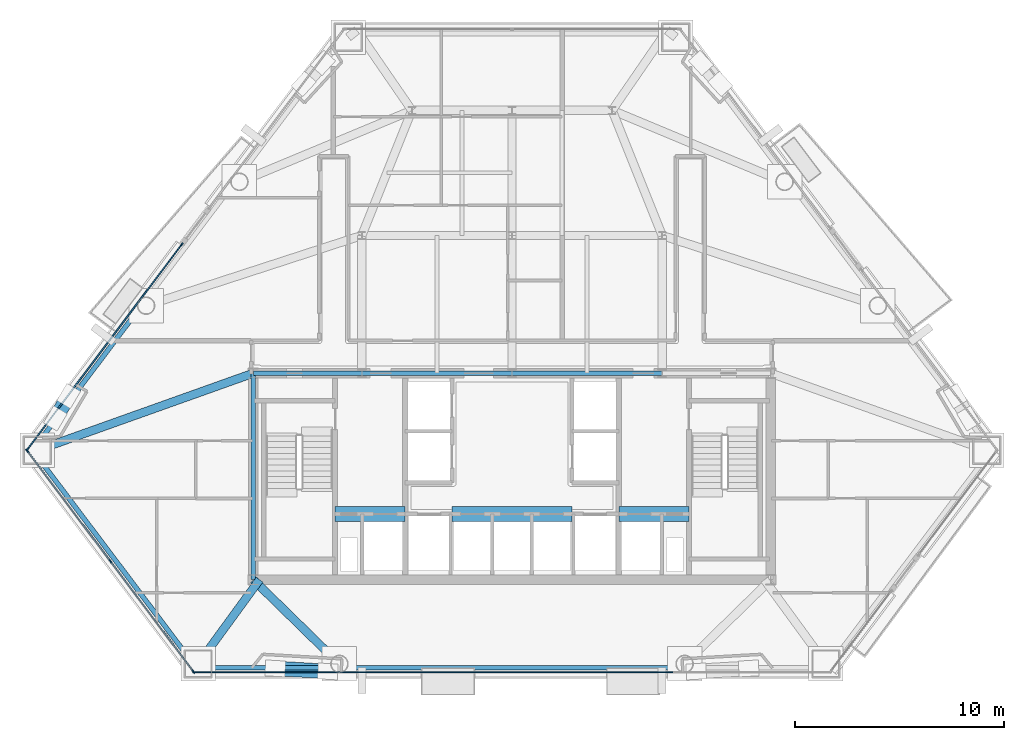
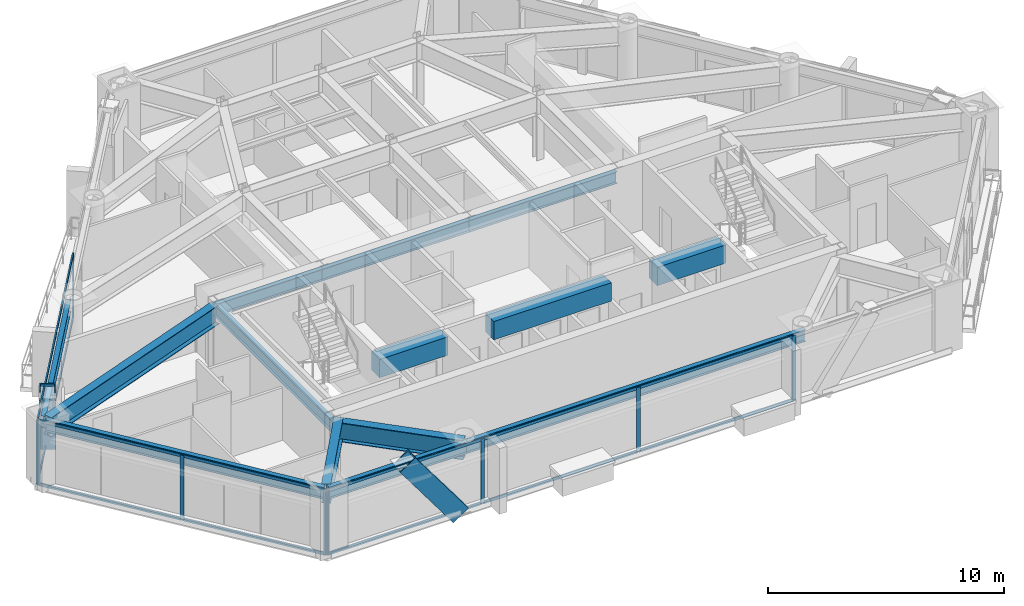
# One storey, part 2 of 10: 23 members, 14 beams, 3 elements without a shape of their own.
"""IFC4 building model written with IfcOpenShell, lengths in metres."""

import ifcopenshell
import ifcopenshell.guid

model = None  # the IFC model being written
_history = None  # IfcOwnerHistory: only IFC2X3 demands one
_inside = {}  # id of a spatial element -> (the spatial element, [elements in it])
_under = {}  # id of a project, library or spatial element -> (it, [spatial elements below it])
_declared = {}  # id of a project -> (the project, [libraries it declares])
_typed = {}  # id of a type object -> (the type object, [elements of that type])
_made_of = {}  # id of a material, layer set ... -> (it, [elements and type objects made of it])


def new_model(schema):
    """Start an empty IFC model of exactly this schema.

    Asked for "IFC4X3", IfcOpenShell would pick the latest addendum, in which some entities
    have other attributes; the version numbers below select the first issue.
    IFC2X3 requires an IfcOwnerHistory on every rooted entity: one is made here for all.
    """
    global model, _history
    if schema == "IFC4X3":
        model = ifcopenshell.file(schema_version=(4, 3, 0, 0))
    else:
        model = ifcopenshell.file(schema=schema)
    _inside.clear()
    _under.clear()
    _declared.clear()
    _typed.clear()
    _made_of.clear()
    _history = None
    if model.schema == "IFC2X3":
        org = make("IfcOrganization", Name="unknown")
        user = make(
            "IfcPersonAndOrganization",
            ThePerson=make("IfcPerson", FamilyName="unknown"),
            TheOrganization=org,
        )
        app = make(
            "IfcApplication",
            ApplicationDeveloper=org,
            Version="unknown",
            ApplicationFullName="unknown",
            ApplicationIdentifier="unknown",
        )
        _history = make(
            "IfcOwnerHistory",
            OwningUser=user,
            OwningApplication=app,
            ChangeAction="ADDED",
            CreationDate=0,
        )
    return model


def make(cls, **values):
    """One entity of the class cls with the attributes given. An attribute that is None is left unset."""
    return model.create_entity(
        cls, **{name: value for name, value in values.items() if value is not None}
    )


def rooted(cls, **values):
    """An entity with a GlobalId (a new one), such as an element, a storey or a relation."""
    return make(cls, GlobalId=ifcopenshell.guid.new(), OwnerHistory=_history, **values)


def si_unit(unit_type, name, prefix=None):
    """IfcSIUnit, for example si_unit("LENGTHUNIT", "METRE", prefix="MILLI")."""
    return make("IfcSIUnit", UnitType=unit_type, Prefix=prefix, Name=name)


def assignment(units):
    """IfcUnitAssignment: the units of a project."""
    return None if units is None else make("IfcUnitAssignment", Units=units)


def point(xyz):
    """IfcCartesianPoint."""
    return None if xyz is None else make("IfcCartesianPoint", Coordinates=xyz)


def direction(xyz):
    """IfcDirection."""
    return None if xyz is None else make("IfcDirection", DirectionRatios=xyz)


def frame(location, z_axis=None, x_axis=None):
    """IfcAxis2Placement3D, a coordinate frame: its origin and axes. An axis left out is left unset."""
    return make(
        "IfcAxis2Placement3D",
        Location=point(location),
        Axis=direction(z_axis),
        RefDirection=direction(x_axis),
    )


def frame_2d(location, x_axis=None):
    """IfcAxis2Placement2D, a coordinate frame in the plane: its origin and x axis."""
    return make(
        "IfcAxis2Placement2D", Location=point(location), RefDirection=direction(x_axis)
    )


def origin():
    """The frame at (0, 0, 0) with its axes left unset."""
    return frame((0.0, 0.0, 0.0))


def origin_2d():
    """The frame at (0, 0) in the plane with its x axis left unset."""
    return frame_2d((0.0, 0.0))


def place(relative_to, where):
    """IfcLocalPlacement: puts the frame where relative to a parent placement (None: the world)."""
    return make(
        "IfcLocalPlacement", PlacementRelTo=relative_to, RelativePlacement=where
    )


def context(
    kind, dimensions, precision=None, world=None, true_north=None, identifier=None
):
    """IfcGeometricRepresentationContext, for example the 3D "Model" context."""
    return make(
        "IfcGeometricRepresentationContext",
        ContextIdentifier=identifier,
        ContextType=kind,
        CoordinateSpaceDimension=dimensions,
        Precision=precision,
        WorldCoordinateSystem=world,
        TrueNorth=true_north,
    )


def subcontext(parent, identifier, kind, view, scale=None):
    """IfcGeometricRepresentationSubContext, for example "Body" below "Model"."""
    return make(
        "IfcGeometricRepresentationSubContext",
        ContextIdentifier=identifier,
        ContextType=kind,
        ParentContext=parent,
        TargetScale=scale,
        TargetView=view,
    )


def project(units=None, contexts=None):
    """IfcProject with its units and contexts."""
    return rooted(
        "IfcProject",
        Name="project",
        RepresentationContexts=contexts,
        UnitsInContext=assignment(units),
    )


def spatial(cls, under=None, at=None, **own):
    """A site, building, storey or space (cls), placed at a placement, below another one or the project."""
    s = rooted(cls, ObjectPlacement=at, **own)
    if under is not None:
        _under.setdefault(under.id(), (under, []))[1].append(s)
    return s


def profile(cls, at=None, kind="AREA", **sizes):
    """A parametric profile (cls). Its sizes go by their IFC names, for example OverallWidth=200.0."""
    return make(cls, ProfileType=kind, Position=at, **sizes)


def rectangle(**sizes):
    """IfcRectangleProfileDef."""
    return profile("IfcRectangleProfileDef", **sizes)


def hollow_rectangle(**sizes):
    """IfcRectangleHollowProfileDef."""
    return profile("IfcRectangleHollowProfileDef", **sizes)


def i_section(**sizes):
    """IfcIShapeProfileDef."""
    return profile("IfcIShapeProfileDef", **sizes)


def extrude(swept, where, along, depth):
    """IfcExtrudedAreaSolid: the profile swept, set in the frame where, extruded along a direction by depth."""
    return make(
        "IfcExtrudedAreaSolid",
        SweptArea=swept,
        Position=where,
        ExtrudedDirection=direction(along),
        Depth=depth,
    )


def shape(context_of_items, identifier, shape_type, items):
    """IfcShapeRepresentation: the items that make up one representation, for example the "Body"."""
    return make(
        "IfcShapeRepresentation",
        ContextOfItems=context_of_items,
        RepresentationIdentifier=identifier,
        RepresentationType=shape_type,
        Items=items,
    )


def material(Name=None, Category=None):
    """IfcMaterial."""
    return make("IfcMaterial", Name=Name, Category=Category)


def layer(
    of_material, thickness, ventilated=None, Name=None, Category=None, Priority=None
):
    """IfcMaterialLayer: one layer of a wall or slab, of a material (None: an air gap)."""
    return make(
        "IfcMaterialLayer",
        Material=of_material,
        LayerThickness=thickness,
        IsVentilated=ventilated,
        Name=Name,
        Category=Category,
        Priority=Priority,
    )


def layer_set(layers, Name=None):
    """IfcMaterialLayerSet."""
    return make("IfcMaterialLayerSet", MaterialLayers=layers, LayerSetName=Name)


def material_profile(
    of_material, cross_section, Name=None, Category=None, Priority=None
):
    """IfcMaterialProfile: a cross section and its material."""
    return make(
        "IfcMaterialProfile",
        Name=Name,
        Material=of_material,
        Profile=cross_section,
        Priority=Priority,
        Category=Category,
    )


def profile_set(profiles, Name=None, composite=None):
    """IfcMaterialProfileSet."""
    return make(
        "IfcMaterialProfileSet",
        Name=Name,
        MaterialProfiles=profiles,
        CompositeProfile=composite,
    )


def made_of(thing, what):
    """Note that an element or type object is made of a material, layer set ...; save() writes the relation."""
    if what is not None:
        _made_of.setdefault(what.id(), (what, []))[1].append(thing)
    return thing


def type_object(cls, material=None, **own):
    """A type object (cls), such as IfcWallType, which elements share."""
    return made_of(rooted(cls, **own), material)


def element(
    cls,
    number,
    at=None,
    inside=None,
    cuts=None,
    type_object=None,
    material=None,
    context=None,
    identifier="Body",
    shape_type=None,
    held_by="IfcProductDefinitionShape",
    body=None,
    shapes=None,
    **own,
):
    """One element of the class cls, such as IfcWall. Its Tag is "e" and its number.

    at: its placement. inside: the storey or other place that contains it. cuts: it is an
    opening in that element (IfcRelVoidsElement). A single representation is given by context,
    identifier, shape_type and body (its items); several are given by shapes. held_by: the class
    of the entity that holds the representations. save() writes the other relations.
    """
    e = rooted(cls, Tag="e%d" % number, ObjectPlacement=at, **own)
    if body is not None:
        shapes = [shape(context, identifier, shape_type, body)]
    if shapes is not None:
        e.Representation = make(held_by, Representations=shapes)
    if inside is not None:
        _inside.setdefault(inside.id(), (inside, []))[1].append(e)
    if cuts is not None:
        rooted(
            "IfcRelVoidsElement", RelatingBuildingElement=cuts, RelatedOpeningElement=e
        )
    if type_object is not None:
        _typed.setdefault(type_object.id(), (type_object, []))[1].append(e)
    return made_of(e, material)


def aggregate(whole, parts):
    """IfcRelAggregates: a whole, such as a stair, and the parts it consists of."""
    return rooted("IfcRelAggregates", RelatingObject=whole, RelatedObjects=parts)


def save(model, path):
    """Write the relations noted so far, then the file.

    IfcRelAggregates (storeys below a building ...), IfcRelContainedInSpatialStructure (elements
    in a storey), IfcRelDefinesByType, IfcRelAssociatesMaterial and IfcRelDeclares: one each for
    every whole, place, type object, material and project.
    """
    for whole, parts in _under.values():
        aggregate(whole, parts)
    for where, things in _inside.values():
        rooted(
            "IfcRelContainedInSpatialStructure",
            RelatedElements=things,
            RelatingStructure=where,
        )
    for kind, things in _typed.values():
        rooted("IfcRelDefinesByType", RelatedObjects=things, RelatingType=kind)
    for what, things in _made_of.values():
        rooted("IfcRelAssociatesMaterial", RelatedObjects=things, RelatingMaterial=what)
    for by, libraries in _declared.values():
        rooted("IfcRelDeclares", RelatingContext=by, RelatedDefinitions=libraries)
    model.write(path)


model = new_model("IFC4")

# Units and contexts
model_context = context("Model", 3, precision=1e-05, world=origin(), true_north=direction((0.0, 1.0)))
body_context = subcontext(model_context, "Body", "Model", "MODEL_VIEW")
ifc_project = project(units=[si_unit("LENGTHUNIT", "METRE"), si_unit("AREAUNIT", "SQUARE_METRE"), si_unit("VOLUMEUNIT", "CUBIC_METRE"), si_unit("PLANEANGLEUNIT", "RADIAN"), si_unit("MASSUNIT", "GRAM", prefix="KILO")], contexts=[model_context])

# Site, building, storey
site_placement = place(None, origin())
site = spatial("IfcSite", under=ifc_project, at=site_placement, CompositionType="ELEMENT")
building_placement = place(site_placement, origin())
building = spatial("IfcBuilding", under=site, at=building_placement, Name="Talgorran Terracotta Tower", CompositionType="ELEMENT")
storey_placement = place(building_placement, frame((0.0, 0.0, 49.5)))
storey = spatial("IfcBuildingStorey", under=building, at=storey_placement, Name="L12", CompositionType="ELEMENT", Elevation=49.5)

# Beams
ifc_material_1 = material(Name="Steel Grade 350 (350L0)", Category="steel")
ifc_material_profile_1 = material_profile(ifc_material_1, i_section(OverallWidth=0.39990234375, OverallDepth=1.0, WebThickness=0.01611328125, FlangeThickness=0.031005859375, at=origin_2d()), Name="1000WB296")
ifc_profile_set_1 = profile_set([ifc_material_profile_1], Name="Steel Grade 350 (350L0)")
beam_type_1 = type_object("IfcBeamType", Name="BM_1000WB296", PredefinedType="BEAM", material=ifc_profile_set_1)
beam_1_placement = place(storey_placement, frame((-8.274169921875, -18.135498046875, 2.85009765625), z_axis=(-0.714889648405, 0.699237292058, 0.0), x_axis=(-0.699237292058, -0.714889648405, 0.0)))
element("IfcBeam", 1, at=beam_1_placement, inside=storey, type_object=beam_type_1, Name="L12 South-West Core Tie Beam", PredefinedType="BEAM", context=body_context, shape_type="SweptSolid", body=[
    extrude(i_section(OverallWidth=0.39990234375, OverallDepth=1.0, WebThickness=0.01611328125, FlangeThickness=0.031005859375, at=origin_2d()), origin(), (0.0, 0.0, 1.0), 5.771240234375),
])
beam_2_placement = place(storey_placement, frame((-15.0439453125, -18.135498046875, 2.85009765625), z_axis=(0.589350973105, 0.807877113489, 0.0), x_axis=(-0.807877113489, 0.589350973105, 0.0)))
element("IfcBeam", 2, at=beam_2_placement, inside=storey, type_object=beam_type_1, Name="L12 Perimeter Step Girder 2", PredefinedType="BEAM", context=body_context, shape_type="SweptSolid", body=[
    extrude(i_section(OverallWidth=0.39990234375, OverallDepth=1.0, WebThickness=0.01611328125, FlangeThickness=0.031005859375, at=origin_2d()), origin(), (0.0, 0.0, 1.0), 4.9951171875),
])
beam_3_placement = place(storey_placement, frame((-12.39990234375, -4.199951171875, 2.85009765625), z_axis=(-0.941952171634, -0.335747086889, 0.0), x_axis=(0.335747086889, -0.941952171634, 0.0)))
element("IfcBeam", 3, at=beam_3_placement, inside=storey, type_object=beam_type_1, Name="L12 Floor Girder G17", PredefinedType="BEAM", context=body_context, shape_type="SweptSolid", body=[
    extrude(i_section(OverallWidth=0.39990234375, OverallDepth=1.0, WebThickness=0.01611328125, FlangeThickness=0.031005859375, at=origin_2d()), origin(), (0.0, 0.0, 1.0), 10.99755859375),
])
ifc_material_2 = material(Name="Concrete C65/80", Category="concrete")
ifc_material_profile_2 = material_profile(ifc_material_2, rectangle(XDim=0.699951171875, YDim=0.949951171875, at=origin_2d()), Name="RCCB700X950")
ifc_profile_set_2 = profile_set([ifc_material_profile_2], Name="Concrete C65/80")
beam_type_2 = type_object("IfcBeamType", Name="BM_CB_700X950", PredefinedType="LINTEL", material=ifc_profile_set_2)
beam_4_placement = place(storey_placement, frame((-8.47998046875, -10.949951171875, 2.875), z_axis=(1.0, 0.0, 0.0), x_axis=(0.0, 1.0, 0.0)))
element("IfcBeam", 4, at=beam_4_placement, inside=storey, type_object=beam_type_2, Name="L12 Core Shear-Wall Coupling Beam CB1", PredefinedType="LINTEL", context=body_context, shape_type="SweptSolid", body=[
    extrude(rectangle(XDim=0.699951171875, YDim=0.949951171875, at=origin_2d()), origin(), (0.0, 0.0, 1.0), 3.35986328125),
])
beam_5_placement = place(storey_placement, frame((-2.8798828125, -10.949951171875, 2.875), z_axis=(1.0, 0.0, 0.0), x_axis=(0.0, 1.0, 0.0)))
element("IfcBeam", 5, at=beam_5_placement, inside=storey, type_object=beam_type_2, Name="L12 Core Shear-Wall Coupling Beam CB2", PredefinedType="LINTEL", context=body_context, shape_type="SweptSolid", body=[
    extrude(rectangle(XDim=0.699951171875, YDim=0.949951171875, at=origin_2d()), origin(), (0.0, 0.0, 1.0), 5.759765625),
])
beam_6_placement = place(storey_placement, frame((5.1201171875, -10.949951171875, 2.875), z_axis=(1.0, 0.0, 0.0), x_axis=(0.0, 1.0, 0.0)))
element("IfcBeam", 6, at=beam_6_placement, inside=storey, type_object=beam_type_2, Name="L12 Core Shear-Wall Coupling Beam CB3", PredefinedType="LINTEL", context=body_context, shape_type="SweptSolid", body=[
    extrude(rectangle(XDim=0.699951171875, YDim=0.949951171875, at=origin_2d()), origin(), (0.0, 0.0, 1.0), 3.35986328125),
])
ifc_material_3 = material(Name="Steel S355 (300PLUS)", Category="steel")
ifc_material_profile_3 = material_profile(ifc_material_3, i_section(OverallWidth=0.22900390625, OverallDepth=0.611572265625, WebThickness=0.011962890625, FlangeThickness=0.01953125, at=origin_2d()), Name="610UB125")
ifc_profile_set_3 = profile_set([ifc_material_profile_3], Name="Steel S355 (300PLUS)")
beam_type_3 = type_object("IfcBeamType", Name="BM_SP_610UB125", PredefinedType="SPANDREL", material=ifc_profile_set_3)
beam_7_placement = place(storey_placement, frame((-22.90283203125, -8.000732421875, 3.044189453125), z_axis=(0.601631480878, -0.79877378601, 0.0), x_axis=(0.79877378601, 0.601631480878, 0.0)))
element("IfcBeam", 7, at=beam_7_placement, inside=storey, type_object=beam_type_3, Name="L12 Perimeter Spandrel Beam MC1-MC2", PredefinedType="SPANDREL", context=body_context, shape_type="SweptSolid", body=[
    extrude(i_section(OverallWidth=0.22900390625, OverallDepth=0.611572265625, WebThickness=0.011962890625, FlangeThickness=0.01953125, at=origin_2d()), origin(), (0.0, 0.0, 1.0), 12.82373046875),
])
beam_8_placement = place(storey_placement, frame((-15.0439453125, -18.315673828125, 3.044189453125), z_axis=(1.0, 0.0, 0.0), x_axis=(0.0, 1.0, 0.0)))
element("IfcBeam", 8, at=beam_8_placement, inside=storey, type_object=beam_type_3, Name="L12 Perimeter Spandrel Beam MC2-FC1", PredefinedType="SPANDREL", context=body_context, shape_type="SweptSolid", body=[
    extrude(i_section(OverallWidth=0.22900390625, OverallDepth=0.611572265625, WebThickness=0.011962890625, FlangeThickness=0.01953125, at=origin_2d()), origin(), (0.0, 0.0, 1.0), 6.769775390625),
])
beam_9_placement = place(storey_placement, frame((-8.274169921875, -18.315673828125, 3.044189453125), z_axis=(1.0, 0.0, 0.0), x_axis=(0.0, 1.0, 0.0)))
element("IfcBeam", 9, at=beam_9_placement, inside=storey, type_object=beam_type_3, Name="L12 Perimeter Spandrel Beam FC1-FC2", PredefinedType="SPANDREL", context=body_context, shape_type="SweptSolid", body=[
    extrude(i_section(OverallWidth=0.22900390625, OverallDepth=0.611572265625, WebThickness=0.011962890625, FlangeThickness=0.01953125, at=origin_2d()), origin(), (0.0, 0.0, 1.0), 16.54833984375),
])
beam_10_placement = place(storey_placement, frame((-17.68359375, -0.854736328125, 3.044189453125), z_axis=(-0.601633271951, -0.798772436981, 0.0), x_axis=(0.798772436981, -0.601633271951, 0.0)))
element("IfcBeam", 10, at=beam_10_placement, inside=storey, type_object=beam_type_3, Name="L12 Perimeter Spandrel Beam FC6-MC1", PredefinedType="SPANDREL", context=body_context, shape_type="SweptSolid", body=[
    extrude(i_section(OverallWidth=0.22900390625, OverallDepth=0.611572265625, WebThickness=0.011962890625, FlangeThickness=0.01953125, at=origin_2d()), origin(), (0.0, 0.0, 1.0), 8.675048828125),
])
beam_11_placement = place(storey_placement, frame((-12.39990234375, -14.10009765625, 3.044189453125), z_axis=(0.0, 1.0, 0.0), x_axis=(-1.0, 0.0, 0.0)))
element("IfcBeam", 11, at=beam_11_placement, inside=storey, type_object=beam_type_3, Name="L12 Core Frame Beam CFW", PredefinedType="SPANDREL", context=body_context, shape_type="SweptSolid", body=[
    extrude(i_section(OverallWidth=0.22900390625, OverallDepth=0.611572265625, WebThickness=0.011962890625, FlangeThickness=0.01953125, at=origin_2d()), origin(), (0.0, 0.0, 1.0), 9.900146484375),
])
beam_12_placement = place(storey_placement, frame((-12.39990234375, -4.199951171875, 3.044189453125), z_axis=(1.0, 0.0, 0.0), x_axis=(0.0, 1.0, 0.0)))
element("IfcBeam", 12, at=beam_12_placement, inside=storey, type_object=beam_type_3, Name="L12 Core Frame Beam CFN1", PredefinedType="SPANDREL", context=body_context, shape_type="SweptSolid", body=[
    extrude(i_section(OverallWidth=0.22900390625, OverallDepth=0.611572265625, WebThickness=0.011962890625, FlangeThickness=0.01953125, at=origin_2d()), origin(), (0.0, 0.0, 1.0), 5.199951171875),
])
for number, where, z_axis, x_axis, name in (
    (13, (-7.199951171875, -4.199951171875, 3.044189453125), (1.0, 0.0, 0.0), (0.0, 1.0, 0.0), "L12 Core Frame Beam CFN2"),
    (14, (0.0, -4.199951171875, 3.044189453125), (1.0, 0.0, 0.0), (0.0, 1.0, 0.0), "L12 Core Frame Beam CFN3"),
):
    element("IfcBeam", number, at=place(storey_placement, frame(where, z_axis=z_axis, x_axis=x_axis)), inside=storey, type_object=beam_type_3, Name=name, PredefinedType="SPANDREL", context=body_context, shape_type="SweptSolid", body=[
        extrude(i_section(OverallWidth=0.22900390625, OverallDepth=0.611572265625, WebThickness=0.011962890625, FlangeThickness=0.01953125, at=origin_2d()), origin(), (0.0, 0.0, 1.0), 7.199951171875),
    ])

# Members
ifc_material_profile_4 = material_profile(ifc_material_1, hollow_rectangle(XDim=0.699951171875, YDim=0.89990234375, WallThickness=0.050048828125, at=origin_2d()), Name="WBOX900X700X50")
ifc_profile_set_4 = profile_set([ifc_material_profile_4], Name="Steel Grade 350 (350L0)")
member_type_1 = type_object("IfcMemberType", Name="MB_MEGA_900", PredefinedType="BRACE", material=ifc_profile_set_4)
member_1_placement = place(storey_placement, frame((-8.82958984375, -18.49560546875, -0.02490234375), z_axis=(-0.59467351444, 0.034146141663, 0.803241839195), x_axis=(-0.057325555637, -0.998355538208, 0.0)))
element("IfcMember", 15, at=member_1_placement, inside=storey, type_object=member_type_1, Name="L12 Exterior Face Mega-Brace MB-1 (SWF)", PredefinedType="BRACE", context=body_context, shape_type="SweptSolid", body=[
    extrude(hollow_rectangle(XDim=0.699951171875, YDim=0.89990234375, WallThickness=0.050048828125, at=origin_2d()), origin(), (0.0, 0.0, 1.0), 4.232666015625),
])
member_2_placement = place(storey_placement, frame((-21.251220703125, -5.2919921875, -0.02490234375), z_axis=(-0.176326391184, -0.296371231666, 0.938654940227), x_axis=(0.8594012676, -0.511301732099, 0.0)))
element("IfcMember", 16, at=member_2_placement, inside=storey, type_object=member_type_1, Name="L12 Exterior Face Mega-Brace MB-1 (NWL)", PredefinedType="BRACE", context=body_context, shape_type="SweptSolid", body=[
    extrude(hollow_rectangle(XDim=0.699951171875, YDim=0.89990234375, WallThickness=0.050048828125, at=origin_2d()), origin(), (0.0, 0.0, 1.0), 3.6220703125),
])

# Curtain wall, members
ifc_material_4 = material(Name="Unitised Low-E Double Glazing", Category="glass")
ifc_layer = layer(ifc_material_4, 0.199951171875, Name="CW_SYS2_RES_LOW")
ifc_layer_set = layer_set([ifc_layer], Name="Unitised Low-E Double Glazing")
curtain_wall_type = type_object("IfcCurtainWallType", Name="CW_SYS2_RES_LOW", PredefinedType="NOTDEFINED", material=ifc_layer_set)
curtain_wall_1_placement = place(storey_placement, origin())
curtain_wall_1 = element("IfcCurtainWall", 17, at=curtain_wall_1_placement, inside=storey, type_object=curtain_wall_type, Name="CW-L12-F0", PredefinedType="NOTDEFINED")
ifc_material_5 = material(Name="Architectural Aluminium 6063-T6", Category="aluminium")
ifc_material_profile_5 = material_profile(ifc_material_5, rectangle(XDim=0.06494140625, YDim=0.18505859375, at=origin_2d()), Name="CWM65X185")
ifc_profile_set_5 = profile_set([ifc_material_profile_5], Name="Architectural Aluminium 6063-T6")
member_type_2 = type_object("IfcMemberType", Name="MUL_65X185", PredefinedType="MULLION", material=ifc_profile_set_5)
member_3_placement = place(storey_placement, frame((-23.240234375, -7.91845703125, 0.0), z_axis=(0.0, 0.0, 1.0), x_axis=(0.798773515054, 0.60163184062, 0.0)))
member_3 = element("IfcMember", 18, at=member_3_placement, type_object=member_type_2, Name="CW-L12-0 mullion 1", PredefinedType="MULLION", context=body_context, shape_type="SweptSolid", body=[
    extrude(rectangle(XDim=0.06494140625, YDim=0.18505859375, at=origin_2d()), origin(), (0.0, 0.0, 1.0), 3.35009765625),
])
member_4_placement = place(storey_placement, frame((-19.251708984375, -13.214111328125, 0.0), z_axis=(0.0, 0.0, 1.0), x_axis=(0.798773515054, 0.60163184062, 0.0)))
member_4 = element("IfcMember", 19, at=member_4_placement, type_object=member_type_2, Name="CW-L12-0 mullion 2", PredefinedType="MULLION", context=body_context, shape_type="SweptSolid", body=[
    extrude(rectangle(XDim=0.06494140625, YDim=0.18505859375, at=origin_2d()), origin(), (0.0, 0.0, 1.0), 3.35009765625),
])
member_5_placement = place(storey_placement, frame((-15.262939453125, -18.509521484375, 0.0), z_axis=(0.0, 0.0, 1.0), x_axis=(0.798773515054, 0.60163184062, 0.0)))
member_5 = element("IfcMember", 20, at=member_5_placement, type_object=member_type_2, Name="CW-L12-0 mullion 3", PredefinedType="MULLION", context=body_context, shape_type="SweptSolid", body=[
    extrude(rectangle(XDim=0.06494140625, YDim=0.18505859375, at=origin_2d()), origin(), (0.0, 0.0, 1.0), 3.35009765625),
])

curtain_wall_2_placement = place(storey_placement, origin())
curtain_wall_2 = element("IfcCurtainWall", 21, at=curtain_wall_2_placement, inside=storey, type_object=curtain_wall_type, Name="CW-L12-F1", PredefinedType="NOTDEFINED")
member_6_placement = place(storey_placement, frame((-15.2109375, -18.53564453125, 0.0), z_axis=(0.0, 0.0, 1.0), x_axis=(0.0, 1.0, 0.0)))
member_6 = element("IfcMember", 22, at=member_6_placement, type_object=member_type_2, Name="CW-L12-1 mullion 1", PredefinedType="MULLION", context=body_context, shape_type="SweptSolid", body=[
    extrude(rectangle(XDim=0.06494140625, YDim=0.18505859375, at=origin_2d()), origin(), (0.0, 0.0, 1.0), 3.35009765625),
])
member_7_placement = place(storey_placement, frame((-7.62158203125, -18.53564453125, 0.0), z_axis=(0.0, 0.0, 1.0), x_axis=(0.0, 1.0, 0.0)))
member_7 = element("IfcMember", 23, at=member_7_placement, type_object=member_type_2, Name="CW-L12-1 mullion 2", PredefinedType="MULLION", context=body_context, shape_type="SweptSolid", body=[
    extrude(rectangle(XDim=0.06494140625, YDim=0.18505859375, at=origin_2d()), origin(), (0.0, 0.0, 1.0), 3.35009765625),
])
member_8_placement = place(storey_placement, frame((0.0, -18.53564453125, 0.0), z_axis=(0.0, 0.0, 1.0), x_axis=(0.0, 1.0, 0.0)))
member_8 = element("IfcMember", 24, at=member_8_placement, type_object=member_type_2, Name="CW-L12-1 mullion 3", PredefinedType="MULLION", context=body_context, shape_type="SweptSolid", body=[
    extrude(rectangle(XDim=0.06494140625, YDim=0.18505859375, at=origin_2d()), origin(), (0.0, 0.0, 1.0), 3.35009765625),
])
member_9_placement = place(storey_placement, frame((7.62158203125, -18.53564453125, 0.0), z_axis=(0.0, 0.0, 1.0), x_axis=(0.0, 1.0, 0.0)))
member_9 = element("IfcMember", 25, at=member_9_placement, type_object=member_type_2, Name="CW-L12-1 mullion 4", PredefinedType="MULLION", context=body_context, shape_type="SweptSolid", body=[
    extrude(rectangle(XDim=0.06494140625, YDim=0.18505859375, at=origin_2d()), origin(), (0.0, 0.0, 1.0), 3.35009765625),
])

curtain_wall_3_placement = place(storey_placement, origin())
curtain_wall_3 = element("IfcCurtainWall", 26, at=curtain_wall_3_placement, inside=storey, type_object=curtain_wall_type, Name="CW-L12-F61", PredefinedType="NOTDEFINED")
member_10_placement = place(storey_placement, frame((-15.83154296875, 1.97021484375, 0.0), z_axis=(0.0, 0.0, 1.0), x_axis=(0.798775924398, -0.601628641773, 0.0)))
member_10 = element("IfcMember", 27, at=member_10_placement, type_object=member_type_2, Name="CW-L12-61 mullion 1", PredefinedType="MULLION", context=body_context, shape_type="SweptSolid", body=[
    extrude(rectangle(XDim=0.06494140625, YDim=0.18505859375, at=origin_2d()), origin(), (0.0, 0.0, 1.0), 3.35009765625),
])
member_11_placement = place(storey_placement, frame((-23.216064453125, -7.83447265625, 0.0), z_axis=(0.0, 0.0, 1.0), x_axis=(0.798775924398, -0.601628641773, 0.0)))
member_11 = element("IfcMember", 28, at=member_11_placement, type_object=member_type_2, Name="CW-L12-61 mullion 2", PredefinedType="MULLION", context=body_context, shape_type="SweptSolid", body=[
    extrude(rectangle(XDim=0.06494140625, YDim=0.18505859375, at=origin_2d()), origin(), (0.0, 0.0, 1.0), 3.35009765625),
])

# Member
ifc_material_profile_6 = material_profile(ifc_material_5, rectangle(XDim=0.06494140625, YDim=0.14990234375, at=origin_2d()), Name="CWT65X150")
ifc_profile_set_6 = profile_set([ifc_material_profile_6], Name="Architectural Aluminium 6063-T6")
member_type_3 = type_object("IfcMemberType", Name="TRN_65X150", PredefinedType="USERDEFINED", material=ifc_profile_set_6)
member_12_placement = place(storey_placement, frame((-23.220703125, -7.9443359375, 0.032470703125), z_axis=(0.601629181278, -0.798775518049, 0.0), x_axis=(0.798775518049, 0.601629181278, 0.0)))
member_12 = element("IfcMember", 29, at=member_12_placement, type_object=member_type_3, Name="CW-L12-0 transom 1.1", ObjectType="TRANSOM", PredefinedType="USERDEFINED", context=body_context, shape_type="SweptSolid", body=[
    extrude(rectangle(XDim=0.06494140625, YDim=0.14990234375, at=origin_2d()), origin(), (0.0, 0.0, 1.0), 6.564697265625),
])

member_13_placement = place(storey_placement, frame((-23.220703125, -7.9443359375, 3.3173828125), z_axis=(0.601629181278, -0.798775518049, 0.0), x_axis=(0.798775518049, 0.601629181278, 0.0)))
member_13 = element("IfcMember", 30, at=member_13_placement, type_object=member_type_3, Name="CW-L12-0 transom 1.2", ObjectType="TRANSOM", PredefinedType="USERDEFINED", context=body_context, shape_type="SweptSolid", body=[
    extrude(rectangle(XDim=0.06494140625, YDim=0.14990234375, at=origin_2d()), origin(), (0.0, 0.0, 1.0), 6.564697265625),
])

member_14_placement = place(storey_placement, frame((-19.23193359375, -13.239990234375, 0.032470703125), z_axis=(0.601629181278, -0.798775518049, 0.0), x_axis=(0.798775518049, 0.601629181278, 0.0)))
member_14 = element("IfcMember", 31, at=member_14_placement, type_object=member_type_3, Name="CW-L12-0 transom 2.1", ObjectType="TRANSOM", PredefinedType="USERDEFINED", context=body_context, shape_type="SweptSolid", body=[
    extrude(rectangle(XDim=0.06494140625, YDim=0.14990234375, at=origin_2d()), origin(), (0.0, 0.0, 1.0), 6.564697265625),
])

member_15_placement = place(storey_placement, frame((-19.23193359375, -13.239990234375, 3.3173828125), z_axis=(0.601629181278, -0.798775518049, 0.0), x_axis=(0.798775518049, 0.601629181278, 0.0)))
member_15 = element("IfcMember", 32, at=member_15_placement, type_object=member_type_3, Name="CW-L12-0 transom 2.2", ObjectType="TRANSOM", PredefinedType="USERDEFINED", context=body_context, shape_type="SweptSolid", body=[
    extrude(rectangle(XDim=0.06494140625, YDim=0.14990234375, at=origin_2d()), origin(), (0.0, 0.0, 1.0), 6.564697265625),
])

aggregate(curtain_wall_1, [member_3, member_4, member_5, member_12, member_13, member_14, member_15])

member_16_placement = place(storey_placement, frame((-15.178466796875, -18.53564453125, 0.032470703125), z_axis=(1.0, 0.0, 0.0), x_axis=(0.0, 1.0, 0.0)))
member_16 = element("IfcMember", 33, at=member_16_placement, type_object=member_type_3, Name="CW-L12-1 transom 1.1", ObjectType="TRANSOM", PredefinedType="USERDEFINED", context=body_context, shape_type="SweptSolid", body=[
    extrude(rectangle(XDim=0.06494140625, YDim=0.14990234375, at=origin_2d()), origin(), (0.0, 0.0, 1.0), 7.524169921875),
])

member_17_placement = place(storey_placement, frame((-15.178466796875, -18.53564453125, 3.3173828125), z_axis=(1.0, 0.0, 0.0), x_axis=(0.0, 1.0, 0.0)))
member_17 = element("IfcMember", 34, at=member_17_placement, type_object=member_type_3, Name="CW-L12-1 transom 1.2", ObjectType="TRANSOM", PredefinedType="USERDEFINED", context=body_context, shape_type="SweptSolid", body=[
    extrude(rectangle(XDim=0.06494140625, YDim=0.14990234375, at=origin_2d()), origin(), (0.0, 0.0, 1.0), 7.524169921875),
])

member_18_placement = place(storey_placement, frame((-7.589111328125, -18.53564453125, 0.032470703125), z_axis=(1.0, 0.0, 0.0), x_axis=(0.0, 1.0, 0.0)))
member_18 = element("IfcMember", 35, at=member_18_placement, type_object=member_type_3, Name="CW-L12-1 transom 2.1", ObjectType="TRANSOM", PredefinedType="USERDEFINED", context=body_context, shape_type="SweptSolid", body=[
    extrude(rectangle(XDim=0.06494140625, YDim=0.14990234375, at=origin_2d()), origin(), (0.0, 0.0, 1.0), 7.556640625),
])

member_19_placement = place(storey_placement, frame((-7.589111328125, -18.53564453125, 3.3173828125), z_axis=(1.0, 0.0, 0.0), x_axis=(0.0, 1.0, 0.0)))
member_19 = element("IfcMember", 36, at=member_19_placement, type_object=member_type_3, Name="CW-L12-1 transom 2.2", ObjectType="TRANSOM", PredefinedType="USERDEFINED", context=body_context, shape_type="SweptSolid", body=[
    extrude(rectangle(XDim=0.06494140625, YDim=0.14990234375, at=origin_2d()), origin(), (0.0, 0.0, 1.0), 7.556640625),
])

member_20_placement = place(storey_placement, frame((0.032470703125, -18.53564453125, 0.032470703125), z_axis=(1.0, 0.0, 0.0), x_axis=(0.0, 1.0, 0.0)))
member_20 = element("IfcMember", 37, at=member_20_placement, type_object=member_type_3, Name="CW-L12-1 transom 3.1", ObjectType="TRANSOM", PredefinedType="USERDEFINED", context=body_context, shape_type="SweptSolid", body=[
    extrude(rectangle(XDim=0.06494140625, YDim=0.14990234375, at=origin_2d()), origin(), (0.0, 0.0, 1.0), 7.556640625),
])

member_21_placement = place(storey_placement, frame((0.032470703125, -18.53564453125, 3.3173828125), z_axis=(1.0, 0.0, 0.0), x_axis=(0.0, 1.0, 0.0)))
member_21 = element("IfcMember", 38, at=member_21_placement, type_object=member_type_3, Name="CW-L12-1 transom 3.2", ObjectType="TRANSOM", PredefinedType="USERDEFINED", context=body_context, shape_type="SweptSolid", body=[
    extrude(rectangle(XDim=0.06494140625, YDim=0.14990234375, at=origin_2d()), origin(), (0.0, 0.0, 1.0), 7.556640625),
])

aggregate(curtain_wall_2, [member_6, member_7, member_8, member_9, member_16, member_17, member_18, member_19, member_20, member_21])

member_22_placement = place(storey_placement, frame((-15.85107421875, 1.944091796875, 0.032470703125), z_axis=(-0.60162084539, -0.798781796483, 0.0), x_axis=(0.798781796483, -0.60162084539, 0.0)))
member_22 = element("IfcMember", 39, at=member_22_placement, type_object=member_type_3, Name="CW-L12-61 transom 1.1", ObjectType="TRANSOM", PredefinedType="USERDEFINED", context=body_context, shape_type="SweptSolid", body=[
    extrude(rectangle(XDim=0.06494140625, YDim=0.14990234375, at=origin_2d()), origin(), (0.0, 0.0, 1.0), 12.20947265625),
])

member_23_placement = place(storey_placement, frame((-15.85107421875, 1.944091796875, 3.3173828125), z_axis=(-0.60162084539, -0.798781796483, 0.0), x_axis=(0.798781796483, -0.60162084539, 0.0)))
member_23 = element("IfcMember", 40, at=member_23_placement, type_object=member_type_3, Name="CW-L12-61 transom 1.2", ObjectType="TRANSOM", PredefinedType="USERDEFINED", context=body_context, shape_type="SweptSolid", body=[
    extrude(rectangle(XDim=0.06494140625, YDim=0.14990234375, at=origin_2d()), origin(), (0.0, 0.0, 1.0), 12.20947265625),
])

aggregate(curtain_wall_3, [member_10, member_11, member_22, member_23])

save(model, "model.ifc")
